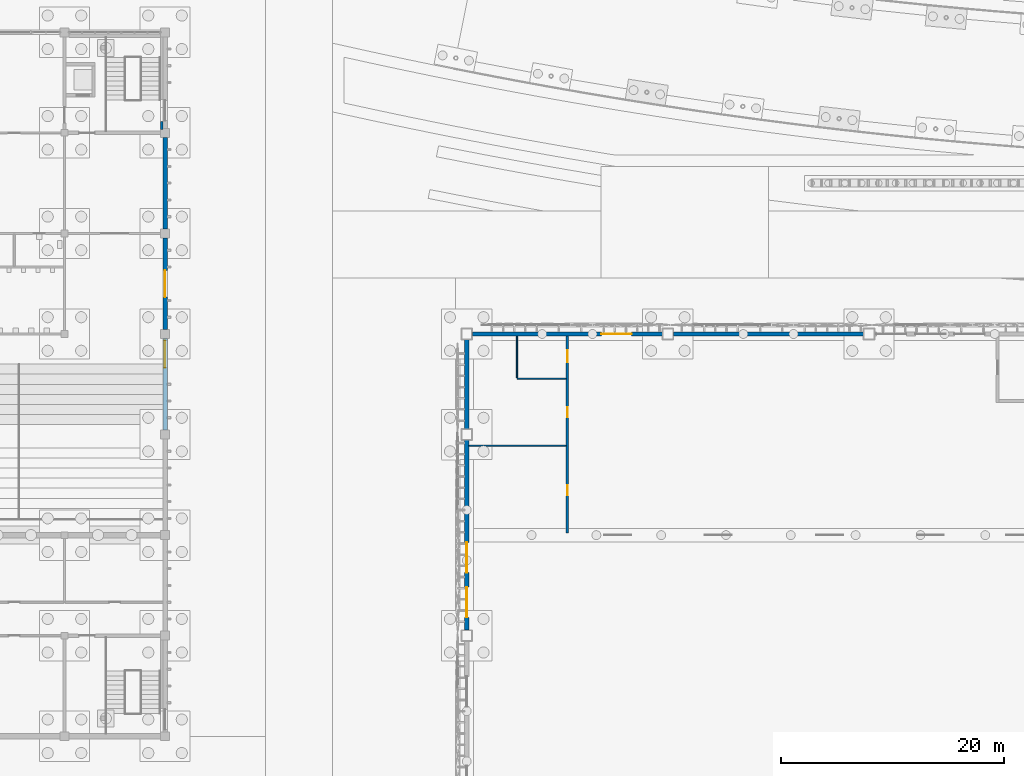
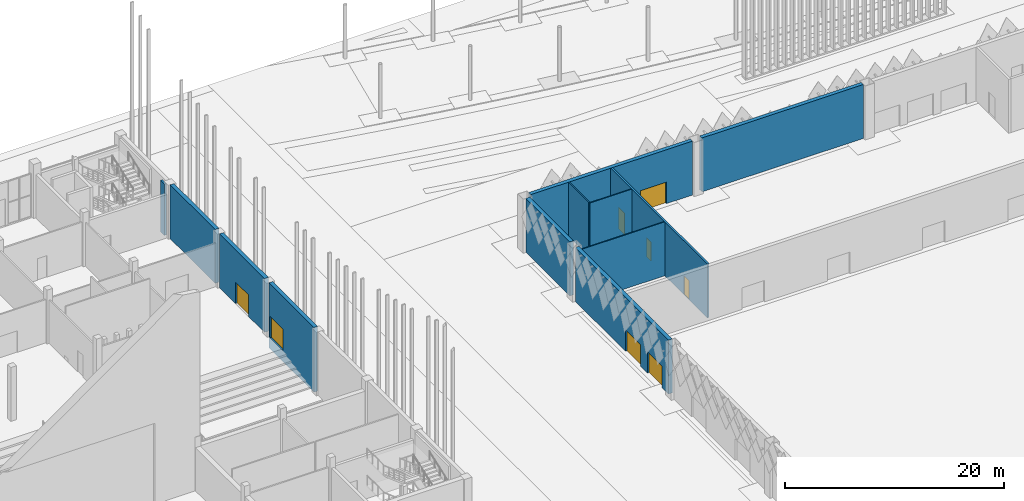
# One storey, part 93 of 198: 12 walls, 8 doors, 8 openings.
"""IFC4 building model written with IfcOpenShell, lengths in metres."""

from ifc_helpers import new_model, si_unit, direction, frame, frame_2d, origin, place, context, subcontext, project, spatial, rectangle, extrude, material, layer, layer_set, type_object, element, fill, save


model = new_model("IFC4")

# Units and contexts
model_context = context("Model", 3, precision=1e-05, world=origin(), true_north=direction((0.0, 1.0)))
body_context = subcontext(model_context, "Body", "Model", "MODEL_VIEW")
ifc_project = project(units=[si_unit("LENGTHUNIT", "METRE"), si_unit("AREAUNIT", "SQUARE_METRE"), si_unit("VOLUMEUNIT", "CUBIC_METRE"), si_unit("PLANEANGLEUNIT", "RADIAN"), si_unit("MASSUNIT", "GRAM", prefix="KILO")], contexts=[model_context])

# Site, building, storey
site_placement = place(None, origin())
site = spatial("IfcSite", under=ifc_project, at=site_placement, CompositionType="ELEMENT")
building_placement = place(site_placement, origin())
building = spatial("IfcBuilding", under=site, at=building_placement, Name="Opaline Strait Convention Centre", CompositionType="ELEMENT")
storey_placement = place(building_placement, origin())
storey = spatial("IfcBuildingStorey", under=building, at=storey_placement, Name="L00", CompositionType="ELEMENT", Elevation=0.0)

# Wall, opening, door
ifc_material_1 = material(Name="Concrete C40", Category="concrete")
ifc_layer_1 = layer(ifc_material_1, 0.25)
ifc_material_2 = material(Name="Mineral wool insulation")
ifc_layer_2 = layer(ifc_material_2, 0.10009765625)
ifc_material_3 = material(Name="Gypsum board lining")
ifc_layer_3 = layer(ifc_material_3, 0.050048828125)
ifc_layer_set_1 = layer_set([ifc_layer_1, ifc_layer_2, ifc_layer_3], Name="Concrete C40, Mineral wool insulation, Gypsum board lining")
wall_type_1 = type_object("IfcWallType", Name="External wall RC 400 insulated", PredefinedType="SOLIDWALL", material=ifc_layer_set_1)
wall_1_placement = place(storey_placement, frame((99.5, 153.0, 0.0), z_axis=(0.0, 0.0, 1.0), x_axis=(1.0, 0.0, 0.0)))
wall_1 = element("IfcWall", 1, at=wall_1_placement, inside=storey, type_object=wall_type_1, Name="External wall N1", PredefinedType="SOLIDWALL", context=body_context, shape_type="SweptSolid", body=[
    extrude(rectangle(XDim=17.0, YDim=0.39990234375, at=frame_2d((8.5, 0.0))), origin(), (0.0, 0.0, 1.0), 6.0),
])
opening_1_placement = place(wall_1_placement, frame((11.550048828125, 0.0, 0.0)))
opening_1 = element("IfcOpeningElement", 2, at=opening_1_placement, cuts=wall_1, Name="Opening X0-053", PredefinedType="OPENING", context=body_context, shape_type="SweptSolid", body=[
    extrude(rectangle(XDim=2.699951171875, YDim=2.39990234375, at=frame_2d((1.35009765625, 1.199951171875))), frame((0.0, 0.2099609375, 0.0), z_axis=(0.0, -1.0, 0.0), x_axis=(1.0, 0.0, 0.0)), (0.0, 0.0, 1.0), 0.419921875),
])
ifc_material_4 = material(Name="Steel Q235B", Category="steel")
door_type_1 = type_object("IfcDoorType", Name="Exit door pair 2700 x 2400", OperationType="DOUBLE_DOOR_SINGLE_SWING", PredefinedType="DOOR", material=ifc_material_4)
door_1_placement = place(opening_1_placement, origin())
door_1 = element("IfcDoor", 3, at=door_1_placement, inside=storey, type_object=door_type_1, Name="Foyer exit door 1", ObjectType="XD2", OperationType="DOUBLE_DOOR_SINGLE_SWING", OverallHeight=2.39990234375, OverallWidth=2.699951171875, PredefinedType="DOOR", context=body_context, shape_type="SweptSolid", body=[
    extrude(rectangle(XDim=2.699951171875, YDim=2.39990234375, at=frame_2d((1.35009765625, 1.199951171875))), frame((0.0, 0.02490234375, 0.0), z_axis=(0.0, -1.0, 0.0), x_axis=(1.0, 0.0, 0.0)), (0.0, 0.0, 1.0), 0.050048828125),
])
fill(opening_1, door_1)

# Wall
wall_2_placement = place(storey_placement, frame((117.5, 153.0, 0.0), z_axis=(0.0, 0.0, 1.0), x_axis=(1.0, 0.0, 0.0)))
element("IfcWall", 4, at=wall_2_placement, inside=storey, type_object=wall_type_1, Name="External wall N2", PredefinedType="SOLIDWALL", context=body_context, shape_type="SweptSolid", body=[
    extrude(rectangle(XDim=17.0, YDim=0.39990234375, at=frame_2d((8.5, 0.0))), origin(), (0.0, 0.0, 1.0), 6.0),
])

# Wall, openings, doors
wall_3_placement = place(storey_placement, frame((99.0, 126.5, 0.0), z_axis=(0.0, 0.0, 1.0), x_axis=(0.0, 1.0, 0.0)))
wall_3 = element("IfcWall", 5, at=wall_3_placement, inside=storey, type_object=wall_type_1, Name="External wall W6", PredefinedType="SOLIDWALL", context=body_context, shape_type="SweptSolid", body=[
    extrude(rectangle(XDim=17.0, YDim=0.39990234375, at=frame_2d((8.5, 0.0))), origin(), (0.0, 0.0, 1.0), 6.0),
])
opening_2_placement = place(wall_3_placement, frame((1.14990234375, 0.0, 0.0)))
opening_2 = element("IfcOpeningElement", 6, at=opening_2_placement, cuts=wall_3, Name="Opening X0-040", PredefinedType="OPENING", context=body_context, shape_type="SweptSolid", body=[
    extrude(rectangle(XDim=2.699951171875, YDim=2.39990234375, at=frame_2d((1.35009765625, 1.199951171875))), frame((0.0, 0.2099609375, 0.0), z_axis=(0.0, -1.0, 0.0), x_axis=(1.0, 0.0, 0.0)), (0.0, 0.0, 1.0), 0.419921875),
])
opening_3_placement = place(wall_3_placement, frame((5.14990234375, 0.0, 0.0)))
opening_3 = element("IfcOpeningElement", 7, at=opening_3_placement, cuts=wall_3, Name="Opening X0-041", PredefinedType="OPENING", context=body_context, shape_type="SweptSolid", body=[
    extrude(rectangle(XDim=2.699951171875, YDim=2.39990234375, at=frame_2d((1.35009765625, 1.199951171875))), frame((0.0, 0.2099609375, 0.0), z_axis=(0.0, -1.0, 0.0), x_axis=(1.0, 0.0, 0.0)), (0.0, 0.0, 1.0), 0.419921875),
])
door_2_placement = place(opening_2_placement, origin())
door_2 = element("IfcDoor", 8, at=door_2_placement, inside=storey, type_object=door_type_1, Name="Hall exit door W7", ObjectType="XD2", OperationType="DOUBLE_DOOR_SINGLE_SWING", OverallHeight=2.39990234375, OverallWidth=2.699951171875, PredefinedType="DOOR", context=body_context, shape_type="SweptSolid", body=[
    extrude(rectangle(XDim=2.699951171875, YDim=2.39990234375, at=frame_2d((1.35009765625, 1.199951171875))), frame((0.0, 0.02490234375, 0.0), z_axis=(0.0, -1.0, 0.0), x_axis=(1.0, 0.0, 0.0)), (0.0, 0.0, 1.0), 0.050048828125),
])
fill(opening_2, door_2)
door_3_placement = place(opening_3_placement, origin())
door_3 = element("IfcDoor", 9, at=door_3_placement, inside=storey, type_object=door_type_1, Name="Hall exit door W8", ObjectType="XD2", OperationType="DOUBLE_DOOR_SINGLE_SWING", OverallHeight=2.39990234375, OverallWidth=2.699951171875, PredefinedType="DOOR", context=body_context, shape_type="SweptSolid", body=[
    extrude(rectangle(XDim=2.699951171875, YDim=2.39990234375, at=frame_2d((1.35009765625, 1.199951171875))), frame((0.0, 0.02490234375, 0.0), z_axis=(0.0, -1.0, 0.0), x_axis=(1.0, 0.0, 0.0)), (0.0, 0.0, 1.0), 0.050048828125),
])
fill(opening_3, door_3)

# Wall
wall_4_placement = place(storey_placement, frame((99.0, 144.5, 0.0), z_axis=(0.0, 0.0, 1.0), x_axis=(0.0, 1.0, 0.0)))
element("IfcWall", 10, at=wall_4_placement, inside=storey, type_object=wall_type_1, Name="External wall W7", PredefinedType="SOLIDWALL", context=body_context, shape_type="SweptSolid", body=[
    extrude(rectangle(XDim=8.0, YDim=0.39990234375, at=frame_2d((4.0, 0.0))), origin(), (0.0, 0.0, 1.0), 6.0),
])

# Wall, openings, doors
ifc_material_5 = material(Name="Lightweight blockwork", Category="masonry")
ifc_layer_4 = layer(ifc_material_5, 0.199951171875)
ifc_layer_set_2 = layer_set([ifc_layer_4], Name="Lightweight blockwork")
wall_type_2 = type_object("IfcWallType", Name="Partition EI 60 blockwork 200", PredefinedType="PARTITIONING", material=ifc_layer_set_2)
wall_5_placement = place(storey_placement, frame((108.0, 135.199951171875, 0.0), z_axis=(0.0, 0.0, 1.0), x_axis=(0.0, 1.0, 0.0)))
wall_5 = element("IfcWall", 11, at=wall_5_placement, inside=storey, type_object=wall_type_2, Name="WC block front wall", PredefinedType="PARTITIONING", context=body_context, shape_type="SweptSolid", body=[
    extrude(rectangle(XDim=17.60009765625, YDim=0.199951171875, at=frame_2d((8.800048828125, 0.0))), origin(), (0.0, 0.0, 1.0), 6.0),
])
opening_4_placement = place(wall_5_placement, frame((3.35009765625, 0.0, 0.014892578125)))
opening_4 = element("IfcOpeningElement", 12, at=opening_4_placement, cuts=wall_5, Name="Opening X0-111", PredefinedType="OPENING", context=body_context, shape_type="SweptSolid", body=[
    extrude(rectangle(XDim=0.89990234375, YDim=2.10009765625, at=frame_2d((0.449951171875, 1.050048828125))), frame((0.0, 0.10986328125, 0.0), z_axis=(0.0, -1.0, 0.0), x_axis=(1.0, 0.0, 0.0)), (0.0, 0.0, 1.0), 0.219970703125),
])
opening_5_placement = place(wall_5_placement, frame((10.35009765625, 0.0, 0.014892578125)))
opening_5 = element("IfcOpeningElement", 13, at=opening_5_placement, cuts=wall_5, Name="Opening X0-112", PredefinedType="OPENING", context=body_context, shape_type="SweptSolid", body=[
    extrude(rectangle(XDim=0.89990234375, YDim=2.10009765625, at=frame_2d((0.449951171875, 1.050048828125))), frame((0.0, 0.10986328125, 0.0), z_axis=(0.0, -1.0, 0.0), x_axis=(1.0, 0.0, 0.0)), (0.0, 0.0, 1.0), 0.219970703125),
])
opening_6_placement = place(wall_5_placement, frame((15.25, 0.0, 0.014892578125)))
opening_6 = element("IfcOpeningElement", 14, at=opening_6_placement, cuts=wall_5, Name="Opening X0-113", PredefinedType="OPENING", context=body_context, shape_type="SweptSolid", body=[
    extrude(rectangle(XDim=1.10009765625, YDim=2.39990234375, at=frame_2d((0.550048828125, 1.199951171875))), frame((0.0, 0.10986328125, 0.0), z_axis=(0.0, -1.0, 0.0), x_axis=(1.0, 0.0, 0.0)), (0.0, 0.0, 1.0), 0.219970703125),
])
door_type_2 = type_object("IfcDoorType", Name="Accessible WC door 1100 x 2400", OperationType="SINGLE_SWING_LEFT", PredefinedType="DOOR", material=ifc_material_4)
door_4_placement = place(opening_6_placement, frame((1.10009765625, 0.0, 0.0), z_axis=(0.0, 0.0, 1.0), x_axis=(-1.0, 0.0, 0.0)))
door_4 = element("IfcDoor", 15, at=door_4_placement, inside=storey, type_object=door_type_2, Name="Accessible WC West door", ObjectType="XD12", OperationType="SINGLE_SWING_RIGHT", OverallHeight=2.39990234375, OverallWidth=1.10009765625, PredefinedType="DOOR", context=body_context, shape_type="SweptSolid", body=[
    extrude(rectangle(XDim=1.10009765625, YDim=2.39990234375, at=frame_2d((0.550048828125, 1.199951171875))), frame((0.0, 0.02490234375, 0.0), z_axis=(0.0, -1.0, 0.0), x_axis=(1.0, 0.0, 0.0)), (0.0, 0.0, 1.0), 0.050048828125),
])
fill(opening_6, door_4)
door_type_3 = type_object("IfcDoorType", Name="Public WC door 900 x 2100", OperationType="SINGLE_SWING_LEFT", PredefinedType="DOOR", material=ifc_material_4)
door_5_placement = place(opening_4_placement, frame((0.89990234375, 0.0, 0.0), z_axis=(0.0, 0.0, 1.0), x_axis=(-1.0, 0.0, 0.0)))
door_5 = element("IfcDoor", 16, at=door_5_placement, inside=storey, type_object=door_type_3, Name="Public WC West Women door", ObjectType="XD11", OperationType="SINGLE_SWING_LEFT", OverallHeight=2.10009765625, OverallWidth=0.89990234375, PredefinedType="DOOR", context=body_context, shape_type="SweptSolid", body=[
    extrude(rectangle(XDim=0.89990234375, YDim=2.10009765625, at=frame_2d((0.449951171875, 1.050048828125))), frame((0.0, 0.02490234375, 0.0), z_axis=(0.0, -1.0, 0.0), x_axis=(1.0, 0.0, 0.0)), (0.0, 0.0, 1.0), 0.050048828125),
])
fill(opening_4, door_5)
door_6_placement = place(opening_5_placement, frame((0.89990234375, 0.0, 0.0), z_axis=(0.0, 0.0, 1.0), x_axis=(-1.0, 0.0, 0.0)))
door_6 = element("IfcDoor", 17, at=door_6_placement, inside=storey, type_object=door_type_3, Name="Public WC West Men door", ObjectType="XD11", OperationType="SINGLE_SWING_RIGHT", OverallHeight=2.10009765625, OverallWidth=0.89990234375, PredefinedType="DOOR", context=body_context, shape_type="SweptSolid", body=[
    extrude(rectangle(XDim=0.89990234375, YDim=2.10009765625, at=frame_2d((0.449951171875, 1.050048828125))), frame((0.0, 0.02490234375, 0.0), z_axis=(0.0, -1.0, 0.0), x_axis=(1.0, 0.0, 0.0)), (0.0, 0.0, 1.0), 0.050048828125),
])
fill(opening_5, door_6)

# Wall, opening, door
ifc_layer_5 = layer(ifc_material_1, 0.320068359375)
ifc_layer_6 = layer(ifc_material_2, 0.050048828125)
ifc_layer_7 = layer(ifc_material_3, 0.030029296875)
ifc_layer_set_3 = layer_set([ifc_layer_5, ifc_layer_6, ifc_layer_7], Name="Concrete C40, Mineral wool insulation, Gypsum board lining")
wall_type_3 = type_object("IfcWallType", Name="RC external wall 400 C40", PredefinedType="SOLIDWALL", material=ifc_layer_set_3)
wall_6_placement = place(storey_placement, frame((72.0, 144.39990234375, -1.199951171875), z_axis=(0.0, 0.0, 1.0), x_axis=(0.0, 1.0, 0.0)))
wall_6 = element("IfcWall", 18, at=wall_6_placement, inside=storey, type_object=wall_type_3, Name="PW1 east wall L00 9/S-9/T", PredefinedType="SOLIDWALL", context=body_context, shape_type="SweptSolid", body=[
    extrude(rectangle(XDim=8.2001953125, YDim=0.39990234375, at=frame_2d((4.10009765625, 0.0))), origin(), (0.0, 0.0, 1.0), 7.199951171875),
])
opening_7_placement = place(wall_6_placement, frame((5.60009765625, 0.0, 1.199951171875)))
opening_7 = element("IfcOpeningElement", 19, at=opening_7_placement, cuts=wall_6, Name="Opening P0-008", PredefinedType="OPENING", context=body_context, shape_type="SweptSolid", body=[
    extrude(rectangle(XDim=2.39990234375, YDim=2.39990234375, at=frame_2d((1.199951171875, 1.199951171875))), frame((0.0, 0.2099609375, 0.0), z_axis=(0.0, -1.0, 0.0), x_axis=(1.0, 0.0, 0.0)), (0.0, 0.0, 1.0), 0.419921875),
])
door_type_4 = type_object("IfcDoorType", Name="Exit double door 2400 x 2400", OperationType="DOUBLE_DOOR_SINGLE_SWING", PredefinedType="DOOR", material=ifc_material_4)
door_7_placement = place(opening_7_placement, frame((2.39990234375, 0.0, 0.0), z_axis=(0.0, 0.0, 1.0), x_axis=(-1.0, 0.0, 0.0)))
door_7 = element("IfcDoor", 20, at=door_7_placement, inside=storey, type_object=door_type_4, Name="Stalls exit east", ObjectType="PD2", OperationType="DOUBLE_DOOR_SINGLE_SWING", OverallHeight=2.39990234375, OverallWidth=2.39990234375, PredefinedType="DOOR", context=body_context, shape_type="SweptSolid", body=[
    extrude(rectangle(XDim=2.39990234375, YDim=2.39990234375, at=frame_2d((1.199951171875, 1.199951171875))), frame((0.0, 0.02490234375, 0.0), z_axis=(0.0, -1.0, 0.0), x_axis=(1.0, 0.0, 0.0)), (0.0, 0.0, 1.0), 0.050048828125),
])
fill(opening_7, door_7)

wall_7_placement = place(storey_placement, frame((72.0, 153.39990234375, 0.0), z_axis=(0.0, 0.0, 1.0), x_axis=(0.0, 1.0, 0.0)))
wall_7 = element("IfcWall", 21, at=wall_7_placement, inside=storey, type_object=wall_type_3, Name="PW1 east wall L00 9/T-9/U", PredefinedType="SOLIDWALL", context=body_context, shape_type="SweptSolid", body=[
    extrude(rectangle(XDim=8.2001953125, YDim=0.39990234375, at=frame_2d((4.10009765625, 0.0))), origin(), (0.0, 0.0, 1.0), 6.0),
])
opening_8_placement = place(wall_7_placement, frame((2.89990234375, 0.0, 0.0)))
opening_8 = element("IfcOpeningElement", 22, at=opening_8_placement, cuts=wall_7, Name="Opening P0-009", PredefinedType="OPENING", context=body_context, shape_type="SweptSolid", body=[
    extrude(rectangle(XDim=2.39990234375, YDim=2.39990234375, at=frame_2d((1.199951171875, 1.199951171875))), frame((0.0, 0.2099609375, 0.0), z_axis=(0.0, -1.0, 0.0), x_axis=(1.0, 0.0, 0.0)), (0.0, 0.0, 1.0), 0.419921875),
])
door_8_placement = place(opening_8_placement, frame((2.39990234375, 0.0, 0.0), z_axis=(0.0, 0.0, 1.0), x_axis=(-1.0, 0.0, 0.0)))
door_8 = element("IfcDoor", 23, at=door_8_placement, inside=storey, type_object=door_type_4, Name="Stalls lobby exit east", ObjectType="PD2", OperationType="DOUBLE_DOOR_SINGLE_SWING", OverallHeight=2.39990234375, OverallWidth=2.39990234375, PredefinedType="DOOR", context=body_context, shape_type="SweptSolid", body=[
    extrude(rectangle(XDim=2.39990234375, YDim=2.39990234375, at=frame_2d((1.199951171875, 1.199951171875))), frame((0.0, 0.02490234375, 0.0), z_axis=(0.0, -1.0, 0.0), x_axis=(1.0, 0.0, 0.0)), (0.0, 0.0, 1.0), 0.050048828125),
])
fill(opening_8, door_8)

# Walls
wall_8_placement = place(storey_placement, frame((72.0, 162.39990234375, 0.0), z_axis=(0.0, 0.0, 1.0), x_axis=(0.0, 1.0, 0.0)))
element("IfcWall", 24, at=wall_8_placement, inside=storey, type_object=wall_type_3, Name="PW1 east wall L00 9/U-9/V", PredefinedType="SOLIDWALL", context=body_context, shape_type="SweptSolid", body=[
    extrude(rectangle(XDim=8.2001953125, YDim=0.39990234375, at=frame_2d((4.10009765625, 0.0))), origin(), (0.0, 0.0, 1.0), 6.0),
])
ifc_layer_8 = layer(ifc_material_1, 0.199951171875)
ifc_layer_set_4 = layer_set([ifc_layer_8], Name="Concrete C40")
wall_type_4 = type_object("IfcWallType", Name="RC stair lining wall 200 C40", PredefinedType="SOLIDWALL", material=ifc_layer_set_4)
wall_9_placement = place(storey_placement, frame((71.699951171875, 171.300048828125, 0.0), z_axis=(0.0, 0.0, 1.0), x_axis=(0.0, 1.0, 0.0)))
element("IfcWall", 25, at=wall_9_placement, inside=storey, type_object=wall_type_4, Name="PW14 L00 NE stair lining wall 1", PredefinedType="SOLIDWALL", context=body_context, shape_type="SweptSolid", body=[
    extrude(rectangle(XDim=0.699951171875, YDim=0.199951171875, at=frame_2d((0.35009765625, 0.0))), origin(), (0.0, 0.0, 1.0), 5.719970703125),
])
ifc_material_6 = material(Name="Gypsum board partition")
ifc_layer_9 = layer(ifc_material_6, 0.10009765625)
ifc_layer_set_5 = layer_set([ifc_layer_9], Name="Gypsum board partition")
wall_type_5 = type_object("IfcWallType", Name="WC partition gypsum 100", PredefinedType="PARTITIONING", material=ifc_layer_set_5)
wall_10_placement = place(storey_placement, frame((99.199951171875, 143.0, 0.0), z_axis=(0.0, 0.0, 1.0), x_axis=(1.0, 0.0, 0.0)))
element("IfcWall", 26, at=wall_10_placement, inside=storey, type_object=wall_type_5, Name="WC partition", PredefinedType="PARTITIONING", context=body_context, shape_type="SweptSolid", body=[
    extrude(rectangle(XDim=8.699951171875, YDim=0.10009765625, at=frame_2d((4.35009765625, 0.0))), origin(), (0.0, 0.0, 1.0), 6.0),
])
wall_11_placement = place(storey_placement, frame((103.5, 149.0, 0.0), z_axis=(0.0, 0.0, 1.0), x_axis=(1.0, 0.0, 0.0)))
element("IfcWall", 27, at=wall_11_placement, inside=storey, type_object=wall_type_5, Name="WC partition", PredefinedType="PARTITIONING", context=body_context, shape_type="SweptSolid", body=[
    extrude(rectangle(XDim=4.39990234375, YDim=0.10009765625, at=frame_2d((2.199951171875, 0.0))), origin(), (0.0, 0.0, 1.0), 6.0),
])
wall_12_placement = place(storey_placement, frame((103.5, 149.10009765625, 0.0), z_axis=(0.0, 0.0, 1.0), x_axis=(0.0, 1.0, 0.0)))
element("IfcWall", 28, at=wall_12_placement, inside=storey, type_object=wall_type_5, Name="WC partition", PredefinedType="PARTITIONING", context=body_context, shape_type="SweptSolid", body=[
    extrude(rectangle(XDim=3.699951171875, YDim=0.10009765625, at=frame_2d((1.85009765625, 0.0))), origin(), (0.0, 0.0, 1.0), 6.0),
])

save(model, "model.ifc")
